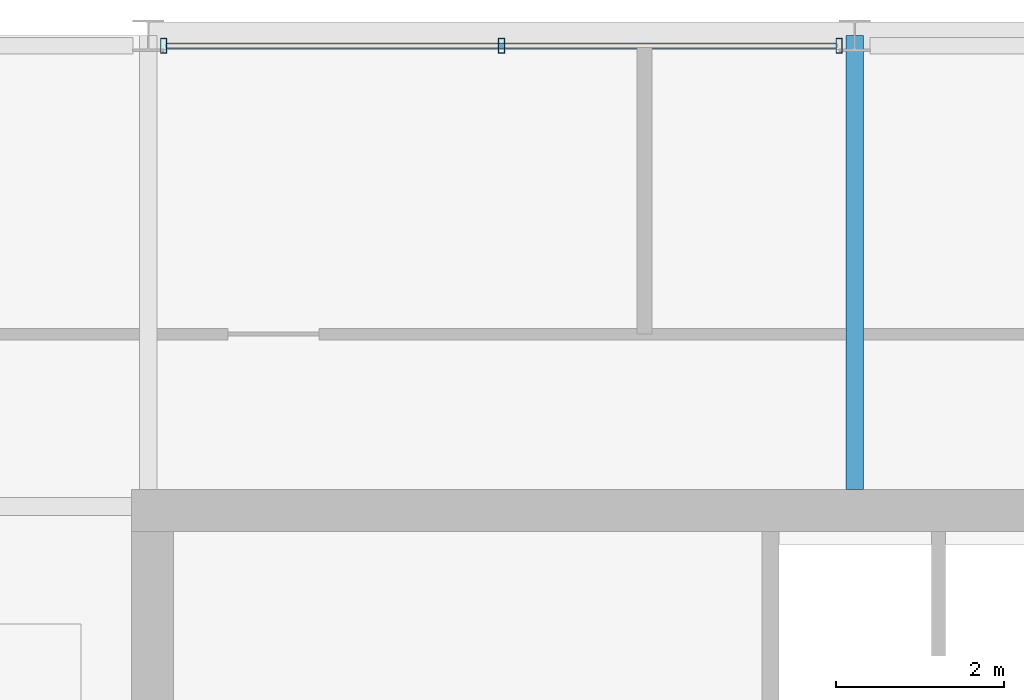
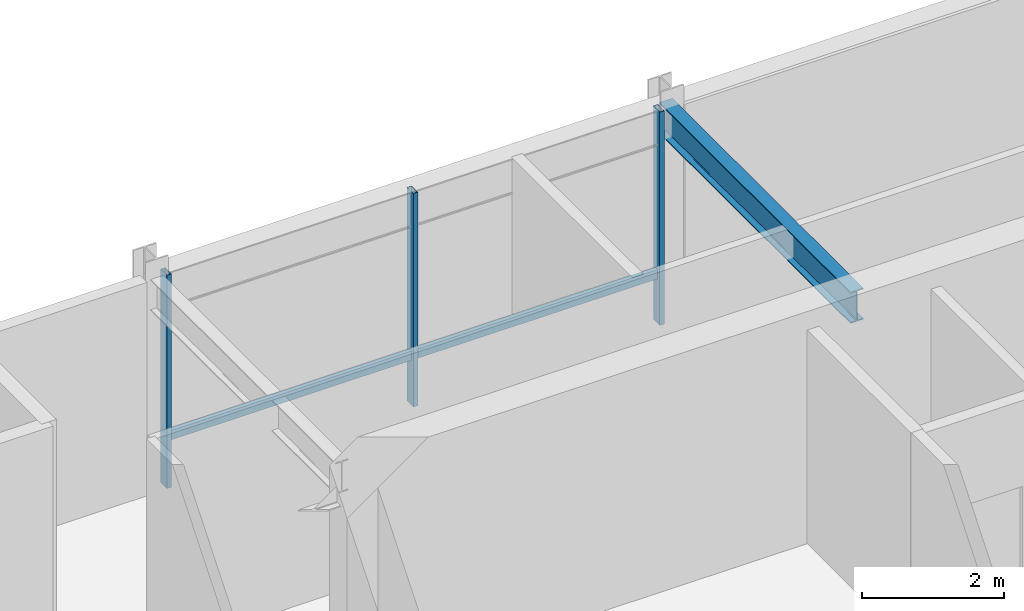
# One storey, part 8 of 12: 4 members, 1 beam, 1 element without a shape of its own.
"""IFC4 building model written with IfcOpenShell, lengths in metres."""

from ifc_helpers import new_model, si_unit, direction, frame, origin, origin_2d, place, context, subcontext, project, spatial, hollow_rectangle, i_section, extrude, material, layer, layer_set, material_profile, profile_set, type_object, element, aggregate, save


model = new_model("IFC4")

# Units and contexts
model_context = context("Model", 3, precision=1e-05, world=origin(), true_north=direction((0.0, 1.0)))
body_context = subcontext(model_context, "Body", "Model", "MODEL_VIEW")
ifc_project = project(units=[si_unit("LENGTHUNIT", "METRE"), si_unit("AREAUNIT", "SQUARE_METRE"), si_unit("VOLUMEUNIT", "CUBIC_METRE"), si_unit("PLANEANGLEUNIT", "RADIAN"), si_unit("MASSUNIT", "GRAM", prefix="KILO")], contexts=[model_context])

# Site, building, storey
site_placement = place(None, origin())
site = spatial("IfcSite", under=ifc_project, at=site_placement, CompositionType="ELEMENT")
building_placement = place(site_placement, origin())
building = spatial("IfcBuilding", under=site, at=building_placement, Name="Drelvath Grand Hotel", CompositionType="ELEMENT")
storey_placement = place(building_placement, frame((0.0, 0.0, 315.39990234375)))
storey = spatial("IfcBuildingStorey", under=building, at=storey_placement, Name="L82", CompositionType="ELEMENT", Elevation=315.39990234375)

# Curtain wall, members
ifc_material_1 = material(Name="Pale-Metal Anodised Aluminium Crown Frame", Category="aluminium")
ifc_layer = layer(ifc_material_1, 0.199951171875)
ifc_layer_set = layer_set([ifc_layer], Name="Pale-Metal Anodised Aluminium Crown Frame")
curtain_wall_type = type_object("IfcCurtainWallType", Name="Stick Curtain Wall CW-06 Pale-Metal Crown Clerestory", PredefinedType="NOTDEFINED", material=ifc_layer_set)
curtain_wall_placement = place(storey_placement, origin())
curtain_wall = element("IfcCurtainWall", 1, at=curtain_wall_placement, inside=storey, type_object=curtain_wall_type, Name="L82 CW-06 Curtain Wall CW06-L82-N", PredefinedType="NOTDEFINED")
ifc_material_profile_1 = material_profile(ifc_material_1, hollow_rectangle(XDim=0.06494140625, YDim=0.159912109375, WallThickness=0.00390625, at=origin_2d()), Name="HSS160X65X4")
ifc_profile_set_1 = profile_set([ifc_material_profile_1], Name="Pale-Metal Anodised Aluminium Crown Frame")
member_type_1 = type_object("IfcMemberType", Name="Curtain Wall Horizontal Transom CW-06 HSS160X65X4", PredefinedType="USERDEFINED", material=ifc_profile_set_1)
member_1_placement = place(storey_placement, frame((-8.177001953125, 40.8798828125, 0.85009765625), z_axis=(1.0, 0.0, 0.0), x_axis=(0.0, 1.0, 0.0)))
member_1 = element("IfcMember", 2, at=member_1_placement, type_object=member_type_1, Name="CW06-L82-N Sill Transom", ObjectType="TRANSOM", PredefinedType="USERDEFINED", context=body_context, shape_type="SweptSolid", body=[
    extrude(hollow_rectangle(XDim=0.06494140625, YDim=0.159912109375, WallThickness=0.00390625, at=origin_2d()), origin(), (0.0, 0.0, 1.0), 7.9541015625),
])
ifc_material_profile_2 = material_profile(ifc_material_1, hollow_rectangle(XDim=0.074951171875, YDim=0.179931640625, WallThickness=0.0048828125, at=origin_2d()), Name="HSS180X75X5")
ifc_profile_set_2 = profile_set([ifc_material_profile_2], Name="Pale-Metal Anodised Aluminium Crown Frame")
member_type_2 = type_object("IfcMemberType", Name="Curtain Wall Vertical Mullion CW-06 HSS180X75X5", PredefinedType="MULLION", material=ifc_profile_set_2)
member_2_placement = place(storey_placement, frame((-8.217041015625, 40.8798828125, 0.0), z_axis=(0.0, 0.0, 1.0), x_axis=(1.0, 0.0, 0.0)))
member_2 = element("IfcMember", 3, at=member_2_placement, type_object=member_type_2, Name="CW06-L82-N Mullion 1", PredefinedType="MULLION", context=body_context, shape_type="SweptSolid", body=[
    extrude(hollow_rectangle(XDim=0.074951171875, YDim=0.179931640625, WallThickness=0.0048828125, at=origin_2d()), origin(), (0.0, 0.0, 1.0), 3.68017578125),
])
member_3_placement = place(storey_placement, frame((-4.199951171875, 40.8798828125, 0.0), z_axis=(0.0, 0.0, 1.0), x_axis=(1.0, 0.0, 0.0)))
member_3 = element("IfcMember", 4, at=member_3_placement, type_object=member_type_2, Name="CW06-L82-N Mullion 2", PredefinedType="MULLION", context=body_context, shape_type="SweptSolid", body=[
    extrude(hollow_rectangle(XDim=0.074951171875, YDim=0.179931640625, WallThickness=0.0048828125, at=origin_2d()), origin(), (0.0, 0.0, 1.0), 3.68017578125),
])
member_4_placement = place(storey_placement, frame((-0.18310546875, 40.8798828125, 0.0), z_axis=(0.0, 0.0, 1.0), x_axis=(1.0, 0.0, 0.0)))
member_4 = element("IfcMember", 5, at=member_4_placement, type_object=member_type_2, Name="CW06-L82-N Mullion 3", PredefinedType="MULLION", context=body_context, shape_type="SweptSolid", body=[
    extrude(hollow_rectangle(XDim=0.074951171875, YDim=0.179931640625, WallThickness=0.0048828125, at=origin_2d()), origin(), (0.0, 0.0, 1.0), 3.68017578125),
])
aggregate(curtain_wall, [member_2, member_3, member_4, member_1])

# Beam
ifc_material_2 = material(Name="Steel ASTM A992 Gr 50", Category="steel")
ifc_material_profile_3 = material_profile(ifc_material_2, i_section(OverallWidth=0.210205078125, OverallDepth=0.53662109375, WebThickness=0.010986328125, FlangeThickness=0.017333984375, FilletRadius=0.01806640625, at=origin_2d()), Name="W21X68")
ifc_profile_set_3 = profile_set([ifc_material_profile_3], Name="Steel ASTM A992 Gr 50")
beam_type = type_object("IfcBeamType", Name="Primary Floor Girder W21X68", PredefinedType="BEAM", material=ifc_profile_set_3)
beam_placement = place(storey_placement, frame((0.0, 35.60009765625, 3.41162109375), z_axis=(0.0, 1.0, 0.0), x_axis=(-1.0, 0.0, 0.0)))
element("IfcBeam", 6, at=beam_placement, inside=storey, type_object=beam_type, Name="L82 Crown Drum Tie North 5", PredefinedType="BEAM", context=body_context, shape_type="SweptSolid", body=[
    extrude(i_section(OverallWidth=0.210205078125, OverallDepth=0.53662109375, WebThickness=0.010986328125, FlangeThickness=0.017333984375, FilletRadius=0.01806640625, at=origin_2d()), origin(), (0.0, 0.0, 1.0), 5.39990234375),
])

save(model, "model.ifc")
